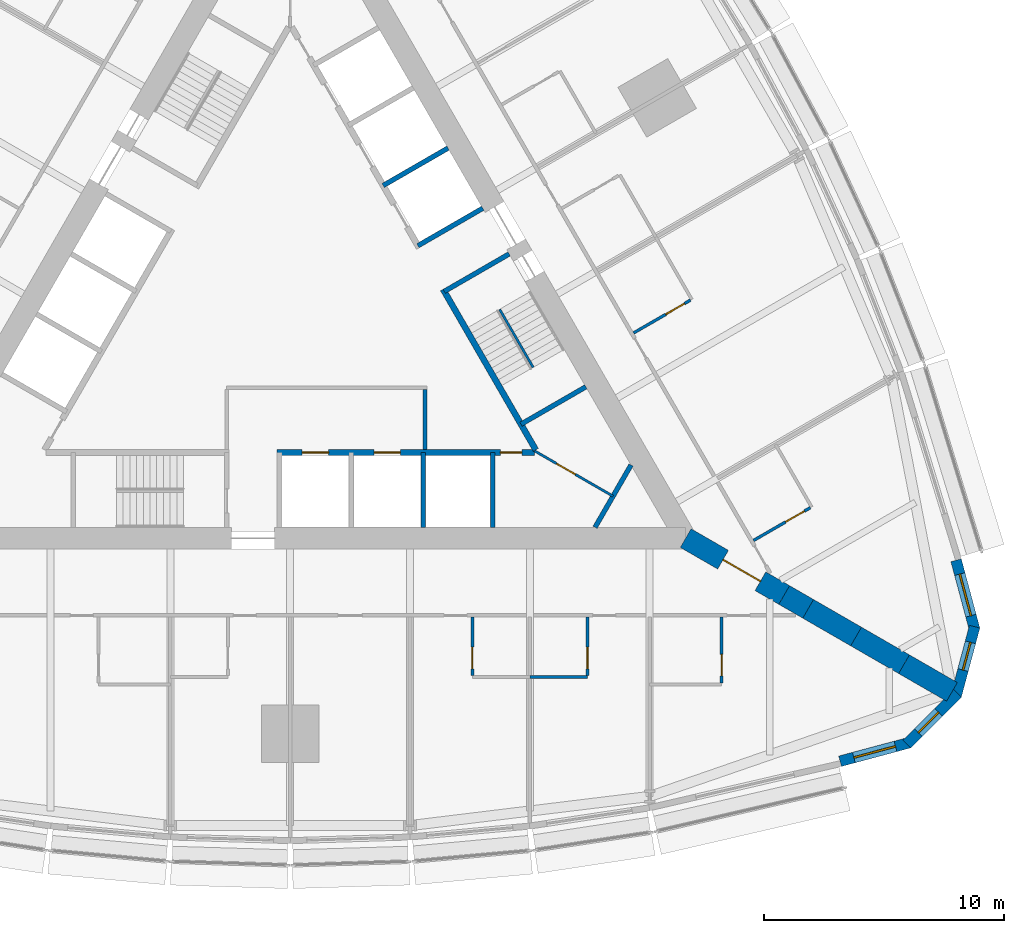
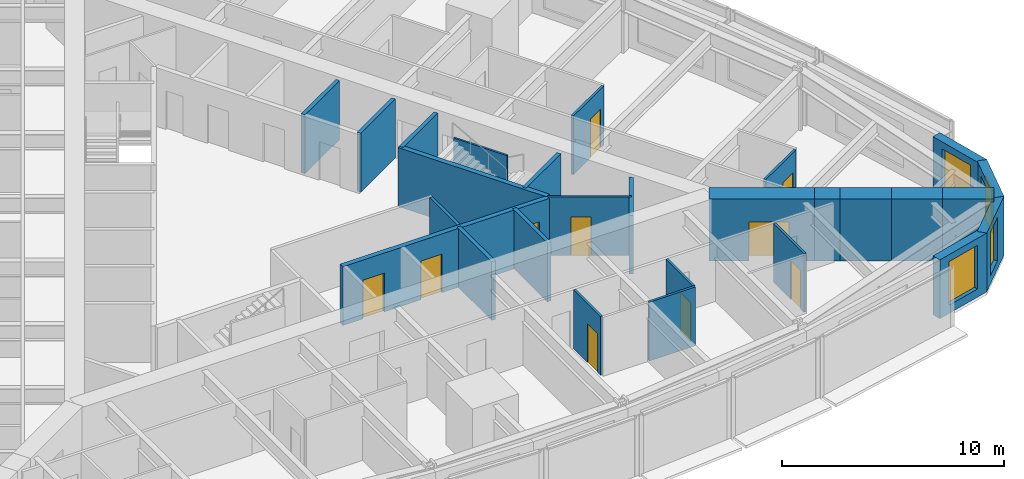
# One storey, part 10 of 14: 27 walls, 10 doors, 4 windows, 14 openings.
"""IFC4 building model written with IfcOpenShell, lengths in metres."""

from ifc_helpers import new_model, si_unit, direction, frame, frame_2d, origin, place, context, subcontext, project, spatial, polyline, rectangle, outline, extrude, material, layer, layer_set, type_object, element, fill, save


model = new_model("IFC4")

# Units and contexts
model_context = context("Model", 3, precision=1e-05, world=origin(), true_north=direction((0.0, 1.0)))
body_context = subcontext(model_context, "Body", "Model", "MODEL_VIEW")
ifc_project = project(units=[si_unit("LENGTHUNIT", "METRE"), si_unit("AREAUNIT", "SQUARE_METRE"), si_unit("VOLUMEUNIT", "CUBIC_METRE"), si_unit("PLANEANGLEUNIT", "RADIAN"), si_unit("MASSUNIT", "GRAM", prefix="KILO")], contexts=[model_context])

# Site, building, storey
site_placement = place(None, origin())
site = spatial("IfcSite", under=ifc_project, at=site_placement, CompositionType="ELEMENT")
building_placement = place(site_placement, origin())
building = spatial("IfcBuilding", under=site, at=building_placement, Name="Trikona Tower", CompositionType="ELEMENT")
storey_placement = place(building_placement, frame((0.0, 0.0, 93.10009765625)))
storey = spatial("IfcBuildingStorey", under=building, at=storey_placement, Name="L24", CompositionType="ELEMENT", Elevation=93.10009765625)

# Wall, opening, door
ifc_material_1 = material(Name="Metal stud and cement board", Category="gypsum")
ifc_layer_1 = layer(ifc_material_1, 0.1201171875)
ifc_layer_set_1 = layer_set([ifc_layer_1], Name="Bathroom wall 120")
wall_type_1 = type_object("IfcWallType", Name="Bathroom wall 120", PredefinedType="PLUMBINGWALL", material=ifc_layer_set_1)
wall_1_placement = place(storey_placement, frame((7.60009765625, -12.826416015625, 0.0), z_axis=(0.0, 0.0, 1.0), x_axis=(0.0, -1.0, 0.0)))
wall_1 = element("IfcWall", 1, at=wall_1_placement, inside=storey, type_object=wall_type_1, Name="Bathroom wall 2404", PredefinedType="PLUMBINGWALL", context=body_context, shape_type="SweptSolid", body=[
    extrude(rectangle(XDim=2.43994140625, YDim=0.1201171875, at=frame_2d((1.219970703125, 0.0))), origin(), (0.0, 0.0, 1.0), 3.23486328125),
])
opening_1_placement = place(wall_1_placement, frame((1.25, 0.0, 0.0)))
opening_1 = element("IfcOpeningElement", 2, at=opening_1_placement, cuts=wall_1, Name="Opening D2", PredefinedType="OPENING", context=body_context, shape_type="SweptSolid", body=[
    extrude(rectangle(XDim=0.89990234375, YDim=2.1298828125, at=frame_2d((0.449951171875, 1.06494140625))), frame((0.0, 0.070068359375, 0.0), z_axis=(0.0, -1.0, 0.0), x_axis=(1.0, 0.0, 0.0)), (0.0, 0.0, 1.0), 0.14013671875),
])
ifc_material_2 = material(Name="Steel door frame with solid-core timber leaf", Category="steel")
door_type_1 = type_object("IfcDoorType", Name="Bathroom door 900x2130", OperationType="SLIDING_TO_LEFT", PredefinedType="DOOR", material=ifc_material_2)
door_1_placement = place(opening_1_placement, origin())
door_1 = element("IfcDoor", 3, at=door_1_placement, inside=storey, type_object=door_type_1, Name="Bathroom door 2404", OperationType="SLIDING_TO_LEFT", OverallHeight=2.1298828125, OverallWidth=0.89990234375, PredefinedType="DOOR", context=body_context, shape_type="SweptSolid", body=[
    extrude(rectangle(XDim=0.89990234375, YDim=2.1298828125, at=frame_2d((0.449951171875, 1.06494140625))), frame((0.0, 0.02490234375, 0.0), z_axis=(0.0, -1.0, 0.0), x_axis=(1.0, 0.0, 0.0)), (0.0, 0.0, 1.0), 0.050048828125),
])
fill(opening_1, door_1)

# Wall
wall_2_placement = place(storey_placement, frame((10.0, -15.326416015625, 0.0), z_axis=(0.0, 0.0, 1.0), x_axis=(1.0, 0.0, 0.0)))
element("IfcWall", 4, at=wall_2_placement, inside=storey, type_object=wall_type_1, Name="Bathroom wall 2405", PredefinedType="PLUMBINGWALL", context=body_context, shape_type="SweptSolid", body=[
    extrude(rectangle(XDim=2.39990234375, YDim=0.1201171875, at=frame_2d((1.199951171875, 0.0))), origin(), (0.0, 0.0, 1.0), 3.23486328125),
])

# Wall, opening, door
wall_3_placement = place(storey_placement, frame((12.39990234375, -12.826416015625, 0.0), z_axis=(0.0, 0.0, 1.0), x_axis=(0.0, -1.0, 0.0)))
wall_3 = element("IfcWall", 5, at=wall_3_placement, inside=storey, type_object=wall_type_1, Name="Bathroom wall 2405", PredefinedType="PLUMBINGWALL", context=body_context, shape_type="SweptSolid", body=[
    extrude(rectangle(XDim=2.43994140625, YDim=0.1201171875, at=frame_2d((1.219970703125, 0.0))), origin(), (0.0, 0.0, 1.0), 3.23486328125),
])
opening_2_placement = place(wall_3_placement, frame((1.25, 0.0, 0.0)))
opening_2 = element("IfcOpeningElement", 6, at=opening_2_placement, cuts=wall_3, Name="Opening D2", PredefinedType="OPENING", context=body_context, shape_type="SweptSolid", body=[
    extrude(rectangle(XDim=0.89990234375, YDim=2.1298828125, at=frame_2d((0.449951171875, 1.06494140625))), frame((0.0, 0.070068359375, 0.0), z_axis=(0.0, -1.0, 0.0), x_axis=(1.0, 0.0, 0.0)), (0.0, 0.0, 1.0), 0.14013671875),
])
door_2_placement = place(opening_2_placement, origin())
door_2 = element("IfcDoor", 7, at=door_2_placement, inside=storey, type_object=door_type_1, Name="Bathroom door 2405", OperationType="SLIDING_TO_LEFT", OverallHeight=2.1298828125, OverallWidth=0.89990234375, PredefinedType="DOOR", context=body_context, shape_type="SweptSolid", body=[
    extrude(rectangle(XDim=0.89990234375, YDim=2.1298828125, at=frame_2d((0.449951171875, 1.06494140625))), frame((0.0, 0.02490234375, 0.0), z_axis=(0.0, -1.0, 0.0), x_axis=(1.0, 0.0, 0.0)), (0.0, 0.0, 1.0), 0.050048828125),
])
fill(opening_2, door_2)

wall_4_placement = place(storey_placement, frame((18.0, -12.826416015625, 0.0), z_axis=(0.0, 0.0, 1.0), x_axis=(0.0, -1.0, 0.0)))
wall_4 = element("IfcWall", 8, at=wall_4_placement, inside=storey, type_object=wall_type_1, Name="Bathroom wall 2406", PredefinedType="PLUMBINGWALL", context=body_context, shape_type="SweptSolid", body=[
    extrude(rectangle(XDim=2.739990234375, YDim=0.1201171875, at=frame_2d((1.3701171875, 0.0))), origin(), (0.0, 0.0, 1.0), 3.23486328125),
])
opening_3_placement = place(wall_4_placement, frame((1.550048828125, 0.0, 0.0)))
opening_3 = element("IfcOpeningElement", 9, at=opening_3_placement, cuts=wall_4, Name="Opening D2", PredefinedType="OPENING", context=body_context, shape_type="SweptSolid", body=[
    extrude(rectangle(XDim=0.89990234375, YDim=2.1298828125, at=frame_2d((0.449951171875, 1.06494140625))), frame((0.0, 0.070068359375, 0.0), z_axis=(0.0, -1.0, 0.0), x_axis=(1.0, 0.0, 0.0)), (0.0, 0.0, 1.0), 0.14013671875),
])
door_3_placement = place(opening_3_placement, origin())
door_3 = element("IfcDoor", 10, at=door_3_placement, inside=storey, type_object=door_type_1, Name="Bathroom door 2406", OperationType="SLIDING_TO_LEFT", OverallHeight=2.1298828125, OverallWidth=0.89990234375, PredefinedType="DOOR", context=body_context, shape_type="SweptSolid", body=[
    extrude(rectangle(XDim=0.89990234375, YDim=2.1298828125, at=frame_2d((0.449951171875, 1.06494140625))), frame((0.0, 0.02490234375, 0.0), z_axis=(0.0, -1.0, 0.0), x_axis=(1.0, 0.0, 0.0)), (0.0, 0.0, 1.0), 0.050048828125),
])
fill(opening_3, door_3)

wall_5_placement = place(storey_placement, frame((19.32861328125, -9.625244140625, 0.0), z_axis=(0.0, 0.0, 1.0), x_axis=(0.866035715982, 0.499982138324, 0.0)))
wall_5 = element("IfcWall", 11, at=wall_5_placement, inside=storey, type_object=wall_type_1, Name="Bathroom wall 2407", PredefinedType="PLUMBINGWALL", context=body_context, shape_type="SweptSolid", body=[
    extrude(rectangle(XDim=2.73974609375, YDim=0.1201171875, at=frame_2d((1.369873046875, 0.0))), origin(), (0.0, 0.0, 1.0), 3.23486328125),
])
opening_4_placement = place(wall_5_placement, frame((1.550048828125, 0.0, 0.0)))
opening_4 = element("IfcOpeningElement", 12, at=opening_4_placement, cuts=wall_5, Name="Opening D2", PredefinedType="OPENING", context=body_context, shape_type="SweptSolid", body=[
    extrude(rectangle(XDim=0.89990234375, YDim=2.1298828125, at=frame_2d((0.449951171875, 1.06494140625))), frame((0.0, 0.070068359375, 0.0), z_axis=(0.0, -1.0, 0.0), x_axis=(1.0, 0.0, 0.0)), (0.0, 0.0, 1.0), 0.14013671875),
])
door_4_placement = place(opening_4_placement, origin())
door_4 = element("IfcDoor", 13, at=door_4_placement, inside=storey, type_object=door_type_1, Name="Bathroom door 2407", OperationType="SLIDING_TO_LEFT", OverallHeight=2.1298828125, OverallWidth=0.89990234375, PredefinedType="DOOR", context=body_context, shape_type="SweptSolid", body=[
    extrude(rectangle(XDim=0.89990234375, YDim=2.1298828125, at=frame_2d((0.449951171875, 1.06494140625))), frame((0.0, 0.02490234375, 0.0), z_axis=(0.0, -1.0, 0.0), x_axis=(1.0, 0.0, 0.0)), (0.0, 0.0, 1.0), 0.050048828125),
])
fill(opening_4, door_4)

wall_6_placement = place(storey_placement, frame((14.32861328125, -0.965087890625, 0.0), z_axis=(0.0, 0.0, 1.0), x_axis=(0.866035715982, 0.499982138324, 0.0)))
wall_6 = element("IfcWall", 14, at=wall_6_placement, inside=storey, type_object=wall_type_1, Name="Bathroom wall 2408", PredefinedType="PLUMBINGWALL", context=body_context, shape_type="SweptSolid", body=[
    extrude(rectangle(XDim=2.73974609375, YDim=0.1201171875, at=frame_2d((1.369873046875, 0.0))), origin(), (0.0, 0.0, 1.0), 3.23486328125),
])
opening_5_placement = place(wall_6_placement, frame((1.550048828125, 0.0, 0.0)))
opening_5 = element("IfcOpeningElement", 15, at=opening_5_placement, cuts=wall_6, Name="Opening D2", PredefinedType="OPENING", context=body_context, shape_type="SweptSolid", body=[
    extrude(rectangle(XDim=0.89990234375, YDim=2.1298828125, at=frame_2d((0.449951171875, 1.06494140625))), frame((0.0, 0.070068359375, 0.0), z_axis=(0.0, -1.0, 0.0), x_axis=(1.0, 0.0, 0.0)), (0.0, 0.0, 1.0), 0.14013671875),
])
door_5_placement = place(opening_5_placement, origin())
door_5 = element("IfcDoor", 16, at=door_5_placement, inside=storey, type_object=door_type_1, Name="Bathroom door 2408", OperationType="SLIDING_TO_LEFT", OverallHeight=2.1298828125, OverallWidth=0.89990234375, PredefinedType="DOOR", context=body_context, shape_type="SweptSolid", body=[
    extrude(rectangle(XDim=0.89990234375, YDim=2.1298828125, at=frame_2d((0.449951171875, 1.06494140625))), frame((0.0, 0.02490234375, 0.0), z_axis=(0.0, -1.0, 0.0), x_axis=(1.0, 0.0, 0.0)), (0.0, 0.0, 1.0), 0.050048828125),
])
fill(opening_5, door_5)

# Wall, opening, window
ifc_material_3 = material(Name="Brick-faced precast concrete", Category="masonry")
ifc_layer_2 = layer(ifc_material_3, 0.449951171875)
ifc_layer_set_2 = layer_set([ifc_layer_2], Name="Brick-faced corner wall 450")
wall_type_2 = type_object("IfcWallType", Name="Brick-faced corner wall 450", PredefinedType="SOLIDWALL", material=ifc_layer_set_2)
wall_7_placement = place(storey_placement, frame((22.94189453125, -18.835205078125, 0.0), z_axis=(0.0, 0.0, 1.0), x_axis=(0.965930548995, 0.258801419081, 0.0)))
wall_7 = element("IfcWall", 17, at=wall_7_placement, inside=storey, type_object=wall_type_2, Name="External wall L24-08", PredefinedType="SOLIDWALL", context=body_context, shape_type="SweptSolid", body=[
    extrude(rectangle(XDim=2.988525390625, YDim=0.449951171875, at=frame_2d((1.494140625, 0.0))), origin(), (0.0, 0.0, 1.0), 3.23486328125),
])
opening_6_placement = place(wall_7_placement, frame((0.59423828125, 0.0, 0.449951171875)))
opening_6 = element("IfcOpeningElement", 18, at=opening_6_placement, cuts=wall_7, Name="Opening W1824", PredefinedType="OPENING", context=body_context, shape_type="SweptSolid", body=[
    extrude(rectangle(XDim=1.800048828125, YDim=2.39990234375, at=frame_2d((0.89990234375, 1.199951171875))), frame((0.0, 0.23486328125, 0.0), z_axis=(0.0, -1.0, 0.0), x_axis=(1.0, 0.0, 0.0)), (0.0, 0.0, 1.0), 0.469970703125),
])
ifc_material_4 = material(Name="Aluminium-framed double glazing", Category="aluminium")
window_type_1 = type_object("IfcWindowType", Name="Window 1800x2400", PartitioningType="SINGLE_PANEL", PredefinedType="WINDOW", material=ifc_material_4)
window_1_placement = place(opening_6_placement, origin())
window_1 = element("IfcWindow", 19, at=window_1_placement, inside=storey, type_object=window_type_1, Name="Window 2406", OverallHeight=2.39990234375, OverallWidth=1.800048828125, PartitioningType="SINGLE_PANEL", PredefinedType="WINDOW", context=body_context, shape_type="SweptSolid", body=[
    extrude(rectangle(XDim=1.800048828125, YDim=2.39990234375, at=frame_2d((0.89990234375, 1.199951171875))), frame((0.0, 0.030029296875, 0.0), z_axis=(0.0, -1.0, 0.0), x_axis=(1.0, 0.0, 0.0)), (0.0, 0.0, 1.0), 0.06005859375),
])
fill(opening_6, window_1)

wall_8_placement = place(storey_placement, frame((25.727783203125, -18.1201171875, 0.0), z_axis=(0.0, 0.0, 1.0), x_axis=(0.707025086683, 0.707188466253, 0.0)))
wall_8 = element("IfcWall", 20, at=wall_8_placement, inside=storey, type_object=wall_type_2, Name="External wall L24-09", PredefinedType="SOLIDWALL", context=body_context, shape_type="SweptSolid", body=[
    extrude(outline(polyline([(2.988525390625, 0.22509765625), (2.929931640625, 0.22509765625), (2.4375, 0.093017578125), (2.402099609375, 0.22509765625), (0.0, 0.22509765625), (0.0, -0.22509765625), (2.988525390625, -0.22509765625), (2.988525390625, 0.22509765625)])), origin(), (0.0, 0.0, 1.0), 3.23486328125),
])
opening_7_placement = place(wall_8_placement, frame((0.676025390625, 0.0, 0.449951171875)))
opening_7 = element("IfcOpeningElement", 21, at=opening_7_placement, cuts=wall_8, Name="Opening W1224", PredefinedType="OPENING", context=body_context, shape_type="SweptSolid", body=[
    extrude(rectangle(XDim=1.199951171875, YDim=2.39990234375, at=frame_2d((0.60009765625, 1.199951171875))), frame((0.0, 0.23486328125, 0.0), z_axis=(0.0, -1.0, 0.0), x_axis=(1.0, 0.0, 0.0)), (0.0, 0.0, 1.0), 0.469970703125),
])
ifc_material_5 = material(Name="Aluminium-framed double glazing", Category="aluminium")
window_type_2 = type_object("IfcWindowType", Name="Window 1200x2400", PartitioningType="SINGLE_PANEL", PredefinedType="WINDOW", material=ifc_material_5)
window_2_placement = place(opening_7_placement, origin())
window_2 = element("IfcWindow", 22, at=window_2_placement, inside=storey, type_object=window_type_2, Name="Window 2406", OverallHeight=2.39990234375, OverallWidth=1.199951171875, PartitioningType="SINGLE_PANEL", PredefinedType="WINDOW", context=body_context, shape_type="SweptSolid", body=[
    extrude(rectangle(XDim=1.199951171875, YDim=2.39990234375, at=frame_2d((0.60009765625, 1.199951171875))), frame((0.0, 0.030029296875, 0.0), z_axis=(0.0, -1.0, 0.0), x_axis=(1.0, 0.0, 0.0)), (0.0, 0.0, 1.0), 0.06005859375),
])
fill(opening_7, window_2)

wall_9_placement = place(storey_placement, frame((27.78271484375, -16.107666015625, 0.0), z_axis=(0.0, 0.0, 1.0), x_axis=(0.258801419081, 0.965930548995, 0.0)))
wall_9 = element("IfcWall", 23, at=wall_9_placement, inside=storey, type_object=wall_type_2, Name="External wall L24-10", PredefinedType="SOLIDWALL", context=body_context, shape_type="SweptSolid", body=[
    extrude(outline(polyline([(2.988525390625, 0.22509765625), (0.58642578125, 0.22509765625), (0.55126953125, 0.09326171875), (0.0595703125, 0.22509765625), (0.0, 0.22509765625), (0.0, -0.22509765625), (2.988525390625, -0.22509765625), (2.988525390625, 0.22509765625)])), origin(), (0.0, 0.0, 1.0), 3.23486328125),
])
opening_8_placement = place(wall_9_placement, frame((1.112548828125, 0.0, 0.449951171875)))
opening_8 = element("IfcOpeningElement", 24, at=opening_8_placement, cuts=wall_9, Name="Opening W1224", PredefinedType="OPENING", context=body_context, shape_type="SweptSolid", body=[
    extrude(rectangle(XDim=1.199951171875, YDim=2.39990234375, at=frame_2d((0.60009765625, 1.199951171875))), frame((0.0, 0.23486328125, 0.0), z_axis=(0.0, -1.0, 0.0), x_axis=(1.0, 0.0, 0.0)), (0.0, 0.0, 1.0), 0.469970703125),
])
window_3_placement = place(opening_8_placement, origin())
window_3 = element("IfcWindow", 25, at=window_3_placement, inside=storey, type_object=window_type_2, Name="Window 2407", OverallHeight=2.39990234375, OverallWidth=1.199951171875, PartitioningType="SINGLE_PANEL", PredefinedType="WINDOW", context=body_context, shape_type="SweptSolid", body=[
    extrude(rectangle(XDim=1.199951171875, YDim=2.39990234375, at=frame_2d((0.60009765625, 1.199951171875))), frame((0.0, 0.030029296875, 0.0), z_axis=(0.0, -1.0, 0.0), x_axis=(1.0, 0.0, 0.0)), (0.0, 0.0, 1.0), 0.06005859375),
])
fill(opening_8, window_3)

wall_10_placement = place(storey_placement, frame((28.55615234375, -13.33740234375, 0.0), z_axis=(0.0, 0.0, 1.0), x_axis=(-0.258780998834, 0.965936019953, 0.0)))
wall_10 = element("IfcWall", 26, at=wall_10_placement, inside=storey, type_object=wall_type_2, Name="External wall L24-11", PredefinedType="SOLIDWALL", context=body_context, shape_type="SweptSolid", body=[
    extrude(rectangle(XDim=2.98876953125, YDim=0.449951171875, at=frame_2d((1.494384765625, 0.0))), origin(), (0.0, 0.0, 1.0), 3.23486328125),
])
opening_9_placement = place(wall_10_placement, frame((0.59423828125, 0.0, 0.449951171875)))
opening_9 = element("IfcOpeningElement", 27, at=opening_9_placement, cuts=wall_10, Name="Opening W1824", PredefinedType="OPENING", context=body_context, shape_type="SweptSolid", body=[
    extrude(rectangle(XDim=1.800048828125, YDim=2.39990234375, at=frame_2d((0.89990234375, 1.199951171875))), frame((0.0, 0.23486328125, 0.0), z_axis=(0.0, -1.0, 0.0), x_axis=(1.0, 0.0, 0.0)), (0.0, 0.0, 1.0), 0.469970703125),
])
window_4_placement = place(opening_9_placement, origin())
window_4 = element("IfcWindow", 28, at=window_4_placement, inside=storey, type_object=window_type_1, Name="Window 2407", OverallHeight=2.39990234375, OverallWidth=1.800048828125, PartitioningType="SINGLE_PANEL", PredefinedType="WINDOW", context=body_context, shape_type="SweptSolid", body=[
    extrude(rectangle(XDim=1.800048828125, YDim=2.39990234375, at=frame_2d((0.89990234375, 1.199951171875))), frame((0.0, 0.030029296875, 0.0), z_axis=(0.0, -1.0, 0.0), x_axis=(1.0, 0.0, 0.0)), (0.0, 0.0, 1.0), 0.06005859375),
])
fill(opening_9, window_4)

# Wall, opening, door
ifc_material_6 = material(Name="Concrete f'c 10000 psi", Category="concrete")
ifc_layer_3 = layer(ifc_material_6, 0.89990234375)
ifc_layer_set_3 = layer_set([ifc_layer_3], Name="Buttress wall 900")
wall_type_3 = type_object("IfcWallType", Name="Buttress wall 900", PredefinedType="SHEAR", material=ifc_layer_set_3)
wall_11_placement = place(storey_placement, frame((16.5, -9.5263671875, 0.0), z_axis=(0.0, 0.0, 1.0), x_axis=(0.866031398331, -0.499989616998, 0.0)))
wall_11 = element("IfcWall", 29, at=wall_11_placement, inside=storey, type_object=wall_type_3, Name="Buttress wall 1", PredefinedType="SHEAR", context=body_context, shape_type="SweptSolid", body=[
    extrude(rectangle(XDim=4.74609375, YDim=0.89990234375, at=frame_2d((2.373046875, 0.0))), origin(), (0.0, 0.0, 1.0), 3.39990234375),
])
opening_10_placement = place(wall_11_placement, frame((1.800048828125, 0.0, 0.0)))
opening_10 = element("IfcOpeningElement", 30, at=opening_10_placement, cuts=wall_11, Name="Opening D10", PredefinedType="OPENING", context=body_context, shape_type="SweptSolid", body=[
    extrude(rectangle(XDim=1.800048828125, YDim=2.1298828125, at=frame_2d((0.89990234375, 1.06494140625))), frame((0.0, 0.4599609375, 0.0), z_axis=(0.0, -1.0, 0.0), x_axis=(1.0, 0.0, 0.0)), (0.0, 0.0, 1.0), 0.919921875),
])
ifc_material_7 = material(Name="Hollow metal door and frame", Category="steel")
door_type_2 = type_object("IfcDoorType", Name="Cross-corridor door pair 1800x2130", OperationType="DOUBLE_DOOR_DOUBLE_SWING", PredefinedType="DOOR", material=ifc_material_7)
door_6_placement = place(opening_10_placement, origin())
door_6 = element("IfcDoor", 31, at=door_6_placement, inside=storey, type_object=door_type_2, Name="Cross-corridor door 1", OperationType="DOUBLE_DOOR_DOUBLE_SWING", OverallHeight=2.1298828125, OverallWidth=1.800048828125, PredefinedType="DOOR", context=body_context, shape_type="SweptSolid", body=[
    extrude(rectangle(XDim=1.800048828125, YDim=2.1298828125, at=frame_2d((0.89990234375, 1.06494140625))), frame((0.0, 0.02490234375, 0.0), z_axis=(0.0, -1.0, 0.0), x_axis=(1.0, 0.0, 0.0)), (0.0, 0.0, 1.0), 0.050048828125),
])
fill(opening_10, door_6)

# Walls
wall_12_placement = place(storey_placement, frame((20.6103515625, -11.8994140625, 0.0), z_axis=(0.0, 0.0, 1.0), x_axis=(0.866009537788, -0.500027479704, 0.0)))
element("IfcWall", 32, at=wall_12_placement, inside=storey, type_object=wall_type_3, Name="Buttress wall 1 part 2", PredefinedType="SHEAR", context=body_context, shape_type="SweptSolid", body=[
    extrude(rectangle(XDim=1.15478515625, YDim=0.89990234375, at=frame_2d((0.577392578125, 0.0))), origin(), (0.0, 0.0, 1.0), 3.39990234375),
])
for number, where, z_axis, x_axis, name in (
    (33, (21.6103515625, -12.476806640625, 0.0), (0.0, 0.0, 1.0), (0.866055313784, -0.499948190782, 0.0), "Buttress wall 1 part 3"),
    (34, (23.6103515625, -13.63134765625, 0.0), (0.0, 0.0, 1.0), (0.866009537788, -0.500027479704, 0.0), "Buttress wall 1 part 4"),
    (35, (25.6103515625, -14.7861328125, 0.0), (0.0, 0.0, 1.0), (0.866009537788, -0.500027479704, 0.0), "Buttress wall 1 part 5"),
):
    element("IfcWall", number, at=place(storey_placement, frame(where, z_axis=z_axis, x_axis=x_axis)), inside=storey, type_object=wall_type_3, Name=name, PredefinedType="SHEAR", context=body_context, shape_type="SweptSolid", body=[
        extrude(rectangle(XDim=2.309326171875, YDim=0.89990234375, at=frame_2d((1.15478515625, 0.0))), origin(), (0.0, 0.0, 1.0), 3.39990234375),
    ])

# Wall, openings, doors
ifc_material_8 = material(Name="Concrete f'c 8000 psi", Category="concrete")
ifc_layer_4 = layer(ifc_material_8, 0.25)
ifc_layer_set_4 = layer_set([ifc_layer_4], Name="Hub wall 250")
wall_type_4 = type_object("IfcWallType", Name="Hub wall 250", PredefinedType="SOLIDWALL", material=ifc_layer_set_4)
wall_13_placement = place(storey_placement, frame((-0.550048828125, -5.951416015625, 0.0), z_axis=(0.0, 0.0, 1.0), x_axis=(1.0, 0.0, 0.0)))
wall_13 = element("IfcWall", 36, at=wall_13_placement, inside=storey, type_object=wall_type_4, Name="Lift lobby wall A2", PredefinedType="SOLIDWALL", context=body_context, shape_type="SweptSolid", body=[
    extrude(rectangle(XDim=10.73291015625, YDim=0.25, at=frame_2d((5.366455078125, 0.0))), origin(), (0.0, 0.0, 1.0), 3.23486328125),
])
opening_11_placement = place(wall_13_placement, frame((9.31396484375, 0.0, 0.0)))
opening_11 = element("IfcOpeningElement", 37, at=opening_11_placement, cuts=wall_13, Name="Opening D14", PredefinedType="OPENING", context=body_context, shape_type="SweptSolid", body=[
    extrude(rectangle(XDim=0.89990234375, YDim=2.1298828125, at=frame_2d((0.449951171875, 1.06494140625))), frame((0.0, 0.135009765625, 0.0), z_axis=(0.0, -1.0, 0.0), x_axis=(1.0, 0.0, 0.0)), (0.0, 0.0, 1.0), 0.27001953125),
])
opening_12_placement = place(wall_13_placement, frame((1.050048828125, 0.0, 0.0)))
opening_12 = element("IfcOpeningElement", 38, at=opening_12_placement, cuts=wall_13, Name="Opening LD", PredefinedType="OPENING", context=body_context, shape_type="SweptSolid", body=[
    extrude(rectangle(XDim=1.10009765625, YDim=2.1298828125, at=frame_2d((0.550048828125, 1.06494140625))), frame((0.0, 0.135009765625, 0.0), z_axis=(0.0, -1.0, 0.0), x_axis=(1.0, 0.0, 0.0)), (0.0, 0.0, 1.0), 0.27001953125),
])
opening_13_placement = place(wall_13_placement, frame((4.050048828125, 0.0, 0.0)))
opening_13 = element("IfcOpeningElement", 39, at=opening_13_placement, cuts=wall_13, Name="Opening LD", PredefinedType="OPENING", context=body_context, shape_type="SweptSolid", body=[
    extrude(rectangle(XDim=1.10009765625, YDim=2.1298828125, at=frame_2d((0.550048828125, 1.06494140625))), frame((0.0, 0.135009765625, 0.0), z_axis=(0.0, -1.0, 0.0), x_axis=(1.0, 0.0, 0.0)), (0.0, 0.0, 1.0), 0.27001953125),
])
ifc_material_9 = material(Name="Stainless steel lift landing door", Category="steel")
door_type_3 = type_object("IfcDoorType", Name="Lift landing door 1100x2130", OperationType="DOUBLE_DOOR_SLIDING", PredefinedType="USERDEFINED", material=ifc_material_9)
door_7_placement = place(opening_12_placement, origin())
door_7 = element("IfcDoor", 40, at=door_7_placement, inside=storey, type_object=door_type_3, Name="Lift landing door FF1", ObjectType="LIFT LANDING DOOR", OperationType="DOUBLE_DOOR_SLIDING", OverallHeight=2.1298828125, OverallWidth=1.10009765625, PredefinedType="USERDEFINED", context=body_context, shape_type="SweptSolid", body=[
    extrude(rectangle(XDim=1.10009765625, YDim=2.1298828125, at=frame_2d((0.550048828125, 1.06494140625))), frame((0.0, 0.02490234375, 0.0), z_axis=(0.0, -1.0, 0.0), x_axis=(1.0, 0.0, 0.0)), (0.0, 0.0, 1.0), 0.050048828125),
])
fill(opening_12, door_7)
door_8_placement = place(opening_13_placement, origin())
door_8 = element("IfcDoor", 41, at=door_8_placement, inside=storey, type_object=door_type_3, Name="Lift landing door FF2", ObjectType="LIFT LANDING DOOR", OperationType="DOUBLE_DOOR_SLIDING", OverallHeight=2.1298828125, OverallWidth=1.10009765625, PredefinedType="USERDEFINED", context=body_context, shape_type="SweptSolid", body=[
    extrude(rectangle(XDim=1.10009765625, YDim=2.1298828125, at=frame_2d((0.550048828125, 1.06494140625))), frame((0.0, 0.02490234375, 0.0), z_axis=(0.0, -1.0, 0.0), x_axis=(1.0, 0.0, 0.0)), (0.0, 0.0, 1.0), 0.050048828125),
])
fill(opening_13, door_8)
ifc_material_10 = material(Name="Hollow metal door and frame", Category="steel")
door_type_4 = type_object("IfcDoorType", Name="Service room door 900x2130", OperationType="SINGLE_SWING_LEFT", PredefinedType="DOOR", material=ifc_material_10)
door_9_placement = place(opening_11_placement, origin())
door_9 = element("IfcDoor", 42, at=door_9_placement, inside=storey, type_object=door_type_4, Name="Door Linen store LIN", OperationType="SINGLE_SWING_RIGHT", OverallHeight=2.1298828125, OverallWidth=0.89990234375, PredefinedType="DOOR", context=body_context, shape_type="SweptSolid", body=[
    extrude(rectangle(XDim=0.89990234375, YDim=2.1298828125, at=frame_2d((0.449951171875, 1.06494140625))), frame((0.0, 0.02490234375, 0.0), z_axis=(0.0, -1.0, 0.0), x_axis=(1.0, 0.0, 0.0)), (0.0, 0.0, 1.0), 0.050048828125),
])
fill(opening_11, door_9)

# Walls
wall_14_placement = place(storey_placement, frame((10.245361328125, -5.843017578125, 0.0), z_axis=(0.0, 0.0, 1.0), x_axis=(-0.499993009313, 0.866029439822, 0.0)))
element("IfcWall", 43, at=wall_14_placement, inside=storey, type_object=wall_type_4, Name="Lift lobby wall B1", PredefinedType="SOLIDWALL", context=body_context, shape_type="SweptSolid", body=[
    extrude(rectangle(XDim=7.73291015625, YDim=0.25, at=frame_2d((3.866455078125, 0.0))), origin(), (0.0, 0.0, 1.0), 3.23486328125),
])
ifc_material_11 = material(Name="Metal stud and gypsum board, 2-hour shaft wall", Category="gypsum")
ifc_layer_5 = layer(ifc_material_11, 0.14990234375)
ifc_layer_set_5 = layer_set([ifc_layer_5], Name="Lobby wall 150")
wall_type_5 = type_object("IfcWallType", Name="Lobby wall 150", PredefinedType="PARTITIONING", material=ifc_layer_set_5)
wall_15_placement = place(storey_placement, frame((5.625, -5.826416015625, 0.0), z_axis=(0.0, 0.0, 1.0), x_axis=(0.0, 1.0, 0.0)))
element("IfcWall", 44, at=wall_15_placement, inside=storey, type_object=wall_type_5, Name="Fire service lift lobby wall 3", PredefinedType="PARTITIONING", context=body_context, shape_type="SweptSolid", body=[
    extrude(rectangle(XDim=2.5, YDim=0.14990234375, at=frame_2d((1.25, 0.0))), origin(), (0.0, 0.0, 1.0), 3.23486328125),
])
ifc_material_12 = material(Name="Concrete f'c 8000 psi", Category="concrete")
ifc_layer_6 = layer(ifc_material_12, 0.199951171875)
ifc_layer_set_6 = layer_set([ifc_layer_6], Name="Shaft wall 200")
wall_type_6 = type_object("IfcWallType", Name="Shaft wall 200", PredefinedType="SOLIDWALL", material=ifc_layer_set_6)
for number, where, z_axis, x_axis, name in (
    (45, (5.550048828125, -5.951416015625, 0.0), (0.0, 0.0, 1.0), (0.0, -1.0, 0.0), "Shaft wall A5"),
    (46, (8.449951171875, -5.951416015625, 0.0), (0.0, 0.0, 1.0), (0.0, -1.0, 0.0), "Shaft wall A6"),
    (47, (5.3291015625, 2.672607421875, 0.0), (0.0, 0.0, 1.0), (0.866022959057, 0.500004234368, 0.0), "Shaft wall B3"),
    (48, (3.87890625, 5.18408203125, 0.0), (0.0, 0.0, 1.0), (0.866022959057, 0.500004234368, 0.0), "Shaft wall B4"),
):
    element("IfcWall", number, at=place(storey_placement, frame(where, z_axis=z_axis, x_axis=x_axis)), inside=storey, type_object=wall_type_6, Name=name, PredefinedType="SOLIDWALL", context=body_context, shape_type="SweptSolid", body=[
        extrude(rectangle(XDim=3.125, YDim=0.199951171875, at=frame_2d((1.5625, 0.0))), origin(), (0.0, 0.0, 1.0), 3.23486328125),
    ])
wall_16_placement = place(storey_placement, frame((14.219482421875, -6.476318359375, 0.0), z_axis=(0.0, 0.0, 1.0), x_axis=(-0.499952404951, -0.866052881055, 0.0)))
element("IfcWall", 49, at=wall_16_placement, inside=storey, type_object=wall_type_6, Name="Riser wall L24-RS1", PredefinedType="SOLIDWALL", context=body_context, shape_type="SweptSolid", body=[
    extrude(rectangle(XDim=3.002197265625, YDim=0.199951171875, at=frame_2d((1.5009765625, 0.0))), origin(), (0.0, 0.0, 1.0), 3.23486328125),
])
ifc_material_13 = material(Name="Concrete f'c 8000 psi", Category="concrete")
ifc_layer_7 = layer(ifc_material_13, 0.199951171875)
ifc_layer_set_7 = layer_set([ifc_layer_7], Name="Shaft wall 200 load-bearing")
wall_type_7 = type_object("IfcWallType", Name="Shaft wall 200 load-bearing", PredefinedType="SOLIDWALL", material=ifc_layer_set_7)
for number, where, z_axis, x_axis, name in (
    (50, (9.62890625, -4.775390625, 0.0), (0.0, 0.0, 1.0), (0.866022959057, 0.500004234368, 0.0), "Shaft wall B1"),
    (51, (6.428955078125, 0.767333984375, 0.0), (0.0, 0.0, 1.0), (0.866022959057, 0.500004234368, 0.0), "Shaft wall B2"),
):
    element("IfcWall", number, at=place(storey_placement, frame(where, z_axis=z_axis, x_axis=x_axis)), inside=storey, type_object=wall_type_7, Name=name, PredefinedType="SOLIDWALL", context=body_context, shape_type="SweptSolid", body=[
        extrude(rectangle(XDim=3.125, YDim=0.199951171875, at=frame_2d((1.5625, 0.0))), origin(), (0.0, 0.0, 1.0), 3.23486328125),
    ])
ifc_material_14 = material(Name="Concrete f'c 5000 psi", Category="concrete")
ifc_layer_8 = layer(ifc_material_14, 0.10009765625)
ifc_layer_set_8 = layer_set([ifc_layer_8], Name="Stair spine wall 100")
wall_type_8 = type_object("IfcWallType", Name="Stair spine wall 100", PredefinedType="SOLIDWALL", material=ifc_layer_set_8)
wall_17_placement = place(storey_placement, frame((10.134765625, -2.4013671875, 0.0), z_axis=(0.0, 0.0, 1.0), x_axis=(-0.499992232847, 0.866029888106, 0.0)))
element("IfcWall", 52, at=wall_17_placement, inside=storey, type_object=wall_type_8, Name="Stair B spine wall L24", PredefinedType="SOLIDWALL", context=body_context, shape_type="SweptSolid", body=[
    extrude(rectangle(XDim=2.7939453125, YDim=0.10009765625, at=frame_2d((1.39697265625, 0.0))), origin(), (0.0, 0.0, 1.0), 3.39990234375),
])

# Wall, opening, door
ifc_material_15 = material(Name="Metal stud and gypsum board, acoustic", Category="gypsum")
ifc_layer_9 = layer(ifc_material_15, 0.10009765625)
ifc_layer_set_9 = layer_set([ifc_layer_9], Name="Suite partition 100")
wall_type_9 = type_object("IfcWallType", Name="Suite partition 100", PredefinedType="PARTITIONING", material=ifc_layer_set_9)
wall_18_placement = place(storey_placement, frame((13.468994140625, -7.7763671875, 0.0), z_axis=(0.0, 0.0, 1.0), x_axis=(-0.866021898093, 0.500006071987, 0.0)))
wall_18 = element("IfcWall", 53, at=wall_18_placement, inside=storey, type_object=wall_type_9, Name="Store partition L24-RS1", PredefinedType="PARTITIONING", context=body_context, shape_type="SweptSolid", body=[
    extrude(rectangle(XDim=3.775390625, YDim=0.10009765625, at=frame_2d((1.8876953125, 0.0))), origin(), (0.0, 0.0, 1.0), 3.23486328125),
])
opening_14_placement = place(wall_18_placement, frame((1.815185546875, 0.0, 0.0)))
opening_14 = element("IfcOpeningElement", 54, at=opening_14_placement, cuts=wall_18, Name="Opening D15", PredefinedType="OPENING", context=body_context, shape_type="SweptSolid", body=[
    extrude(rectangle(XDim=0.89990234375, YDim=2.1298828125, at=frame_2d((0.449951171875, 1.06494140625))), frame((0.0, 0.06005859375, 0.0), z_axis=(0.0, -1.0, 0.0), x_axis=(1.0, 0.0, 0.0)), (0.0, 0.0, 1.0), 0.1201171875),
])
ifc_material_16 = material(Name="Steel door frame with solid-core timber leaf", Category="steel")
door_type_5 = type_object("IfcDoorType", Name="Store door 900x2130", OperationType="SINGLE_SWING_LEFT", PredefinedType="DOOR", material=ifc_material_16)
door_10_placement = place(opening_14_placement, origin())
door_10 = element("IfcDoor", 55, at=door_10_placement, inside=storey, type_object=door_type_5, Name="Door Luggage store LUG", OperationType="SINGLE_SWING_RIGHT", OverallHeight=2.1298828125, OverallWidth=0.89990234375, PredefinedType="DOOR", context=body_context, shape_type="SweptSolid", body=[
    extrude(rectangle(XDim=0.89990234375, YDim=2.1298828125, at=frame_2d((0.449951171875, 1.06494140625))), frame((0.0, 0.02490234375, 0.0), z_axis=(0.0, -1.0, 0.0), x_axis=(1.0, 0.0, 0.0)), (0.0, 0.0, 1.0), 0.050048828125),
])
fill(opening_14, door_10)

save(model, "model.ifc")
